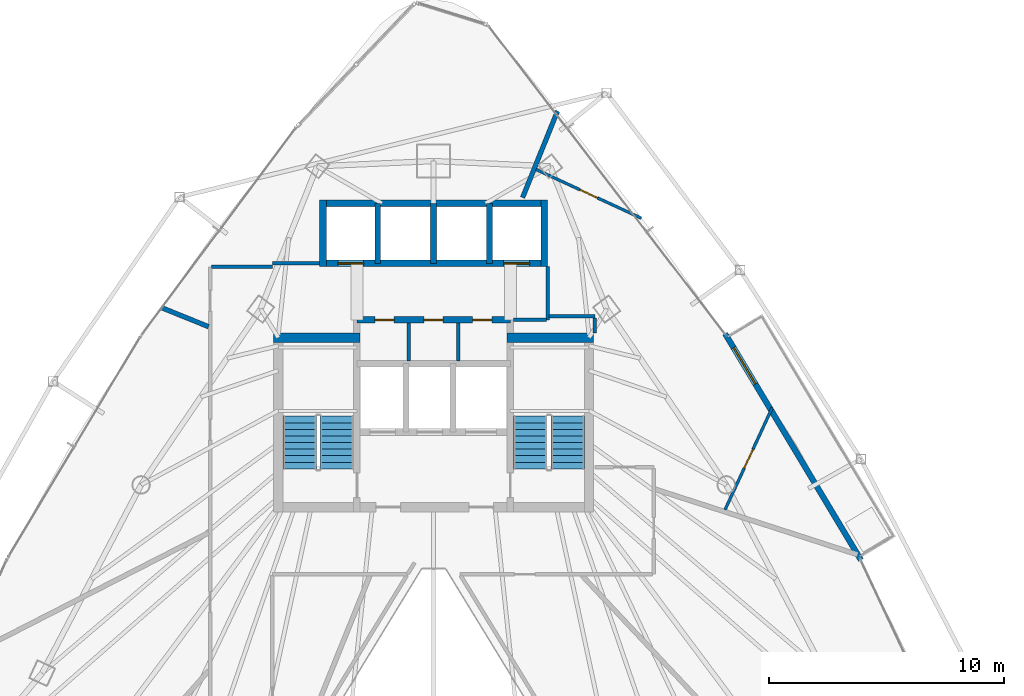
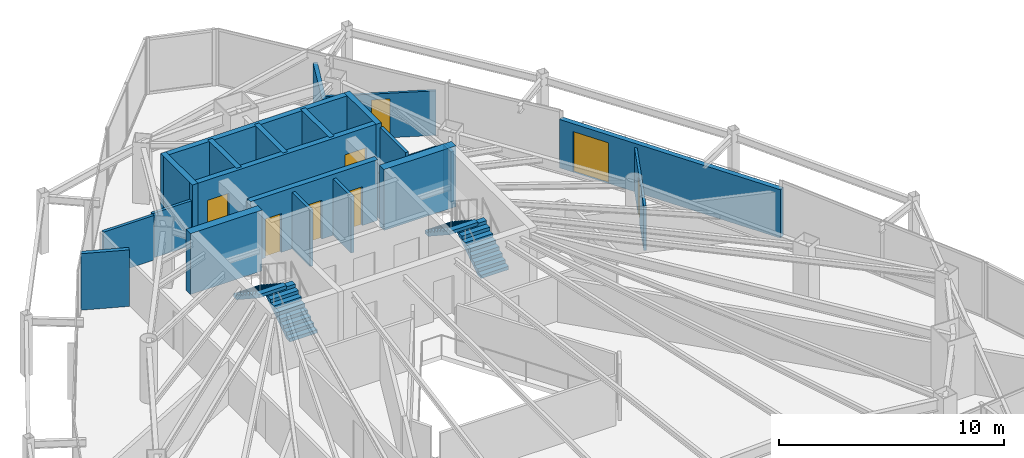
# One storey, part 28 of 31: 23 walls, 8 doors, 4 stair flights, 8 openings, 2 elements without a shape of their own.
"""IFC4 building model written with IfcOpenShell, lengths in metres."""

import ifcopenshell
import ifcopenshell.guid

model = None  # the IFC model being written
_history = None  # IfcOwnerHistory: only IFC2X3 demands one
_inside = {}  # id of a spatial element -> (the spatial element, [elements in it])
_under = {}  # id of a project, library or spatial element -> (it, [spatial elements below it])
_declared = {}  # id of a project -> (the project, [libraries it declares])
_typed = {}  # id of a type object -> (the type object, [elements of that type])
_made_of = {}  # id of a material, layer set ... -> (it, [elements and type objects made of it])


def new_model(schema):
    """Start an empty IFC model of exactly this schema.

    Asked for "IFC4X3", IfcOpenShell would pick the latest addendum, in which some entities
    have other attributes; the version numbers below select the first issue.
    IFC2X3 requires an IfcOwnerHistory on every rooted entity: one is made here for all.
    """
    global model, _history
    if schema == "IFC4X3":
        model = ifcopenshell.file(schema_version=(4, 3, 0, 0))
    else:
        model = ifcopenshell.file(schema=schema)
    _inside.clear()
    _under.clear()
    _declared.clear()
    _typed.clear()
    _made_of.clear()
    _history = None
    if model.schema == "IFC2X3":
        org = make("IfcOrganization", Name="unknown")
        user = make(
            "IfcPersonAndOrganization",
            ThePerson=make("IfcPerson", FamilyName="unknown"),
            TheOrganization=org,
        )
        app = make(
            "IfcApplication",
            ApplicationDeveloper=org,
            Version="unknown",
            ApplicationFullName="unknown",
            ApplicationIdentifier="unknown",
        )
        _history = make(
            "IfcOwnerHistory",
            OwningUser=user,
            OwningApplication=app,
            ChangeAction="ADDED",
            CreationDate=0,
        )
    return model


def make(cls, **values):
    """One entity of the class cls with the attributes given. An attribute that is None is left unset."""
    return model.create_entity(
        cls, **{name: value for name, value in values.items() if value is not None}
    )


def rooted(cls, **values):
    """An entity with a GlobalId (a new one), such as an element, a storey or a relation."""
    return make(cls, GlobalId=ifcopenshell.guid.new(), OwnerHistory=_history, **values)


def si_unit(unit_type, name, prefix=None):
    """IfcSIUnit, for example si_unit("LENGTHUNIT", "METRE", prefix="MILLI")."""
    return make("IfcSIUnit", UnitType=unit_type, Prefix=prefix, Name=name)


def assignment(units):
    """IfcUnitAssignment: the units of a project."""
    return None if units is None else make("IfcUnitAssignment", Units=units)


def point(xyz):
    """IfcCartesianPoint."""
    return None if xyz is None else make("IfcCartesianPoint", Coordinates=xyz)


def direction(xyz):
    """IfcDirection."""
    return None if xyz is None else make("IfcDirection", DirectionRatios=xyz)


def frame(location, z_axis=None, x_axis=None):
    """IfcAxis2Placement3D, a coordinate frame: its origin and axes. An axis left out is left unset."""
    return make(
        "IfcAxis2Placement3D",
        Location=point(location),
        Axis=direction(z_axis),
        RefDirection=direction(x_axis),
    )


def frame_2d(location, x_axis=None):
    """IfcAxis2Placement2D, a coordinate frame in the plane: its origin and x axis."""
    return make(
        "IfcAxis2Placement2D", Location=point(location), RefDirection=direction(x_axis)
    )


def origin():
    """The frame at (0, 0, 0) with its axes left unset."""
    return frame((0.0, 0.0, 0.0))


def place(relative_to, where):
    """IfcLocalPlacement: puts the frame where relative to a parent placement (None: the world)."""
    return make(
        "IfcLocalPlacement", PlacementRelTo=relative_to, RelativePlacement=where
    )


def context(
    kind, dimensions, precision=None, world=None, true_north=None, identifier=None
):
    """IfcGeometricRepresentationContext, for example the 3D "Model" context."""
    return make(
        "IfcGeometricRepresentationContext",
        ContextIdentifier=identifier,
        ContextType=kind,
        CoordinateSpaceDimension=dimensions,
        Precision=precision,
        WorldCoordinateSystem=world,
        TrueNorth=true_north,
    )


def subcontext(parent, identifier, kind, view, scale=None):
    """IfcGeometricRepresentationSubContext, for example "Body" below "Model"."""
    return make(
        "IfcGeometricRepresentationSubContext",
        ContextIdentifier=identifier,
        ContextType=kind,
        ParentContext=parent,
        TargetScale=scale,
        TargetView=view,
    )


def project(units=None, contexts=None):
    """IfcProject with its units and contexts."""
    return rooted(
        "IfcProject",
        Name="project",
        RepresentationContexts=contexts,
        UnitsInContext=assignment(units),
    )


def spatial(cls, under=None, at=None, **own):
    """A site, building, storey or space (cls), placed at a placement, below another one or the project."""
    s = rooted(cls, ObjectPlacement=at, **own)
    if under is not None:
        _under.setdefault(under.id(), (under, []))[1].append(s)
    return s


def polyline(points):
    """IfcPolyline through the points."""
    return make("IfcPolyline", Points=[point(p) for p in points])


def profile(cls, at=None, kind="AREA", **sizes):
    """A parametric profile (cls). Its sizes go by their IFC names, for example OverallWidth=200.0."""
    return make(cls, ProfileType=kind, Position=at, **sizes)


def rectangle(**sizes):
    """IfcRectangleProfileDef."""
    return profile("IfcRectangleProfileDef", **sizes)


def outline(outer, holes=None, kind="AREA"):
    """IfcArbitraryClosedProfileDef: a profile drawn as a closed curve; with holes, ...WithVoids."""
    if holes is None:
        return make("IfcArbitraryClosedProfileDef", ProfileType=kind, OuterCurve=outer)
    return make(
        "IfcArbitraryProfileDefWithVoids",
        ProfileType=kind,
        OuterCurve=outer,
        InnerCurves=holes,
    )


def extrude(swept, where, along, depth):
    """IfcExtrudedAreaSolid: the profile swept, set in the frame where, extruded along a direction by depth."""
    return make(
        "IfcExtrudedAreaSolid",
        SweptArea=swept,
        Position=where,
        ExtrudedDirection=direction(along),
        Depth=depth,
    )


def shape(context_of_items, identifier, shape_type, items):
    """IfcShapeRepresentation: the items that make up one representation, for example the "Body"."""
    return make(
        "IfcShapeRepresentation",
        ContextOfItems=context_of_items,
        RepresentationIdentifier=identifier,
        RepresentationType=shape_type,
        Items=items,
    )


def material(Name=None, Category=None):
    """IfcMaterial."""
    return make("IfcMaterial", Name=Name, Category=Category)


def layer(
    of_material, thickness, ventilated=None, Name=None, Category=None, Priority=None
):
    """IfcMaterialLayer: one layer of a wall or slab, of a material (None: an air gap)."""
    return make(
        "IfcMaterialLayer",
        Material=of_material,
        LayerThickness=thickness,
        IsVentilated=ventilated,
        Name=Name,
        Category=Category,
        Priority=Priority,
    )


def layer_set(layers, Name=None):
    """IfcMaterialLayerSet."""
    return make("IfcMaterialLayerSet", MaterialLayers=layers, LayerSetName=Name)


def made_of(thing, what):
    """Note that an element or type object is made of a material, layer set ...; save() writes the relation."""
    if what is not None:
        _made_of.setdefault(what.id(), (what, []))[1].append(thing)
    return thing


def type_object(cls, material=None, **own):
    """A type object (cls), such as IfcWallType, which elements share."""
    return made_of(rooted(cls, **own), material)


def element(
    cls,
    number,
    at=None,
    inside=None,
    cuts=None,
    type_object=None,
    material=None,
    context=None,
    identifier="Body",
    shape_type=None,
    held_by="IfcProductDefinitionShape",
    body=None,
    shapes=None,
    **own,
):
    """One element of the class cls, such as IfcWall. Its Tag is "e" and its number.

    at: its placement. inside: the storey or other place that contains it. cuts: it is an
    opening in that element (IfcRelVoidsElement). A single representation is given by context,
    identifier, shape_type and body (its items); several are given by shapes. held_by: the class
    of the entity that holds the representations. save() writes the other relations.
    """
    e = rooted(cls, Tag="e%d" % number, ObjectPlacement=at, **own)
    if body is not None:
        shapes = [shape(context, identifier, shape_type, body)]
    if shapes is not None:
        e.Representation = make(held_by, Representations=shapes)
    if inside is not None:
        _inside.setdefault(inside.id(), (inside, []))[1].append(e)
    if cuts is not None:
        rooted(
            "IfcRelVoidsElement", RelatingBuildingElement=cuts, RelatedOpeningElement=e
        )
    if type_object is not None:
        _typed.setdefault(type_object.id(), (type_object, []))[1].append(e)
    return made_of(e, material)


def fill(opening, filler):
    """IfcRelFillsElement: the door or window that sits in an opening."""
    return rooted(
        "IfcRelFillsElement",
        RelatingOpeningElement=opening,
        RelatedBuildingElement=filler,
    )


def aggregate(whole, parts):
    """IfcRelAggregates: a whole, such as a stair, and the parts it consists of."""
    return rooted("IfcRelAggregates", RelatingObject=whole, RelatedObjects=parts)


def save(model, path):
    """Write the relations noted so far, then the file.

    IfcRelAggregates (storeys below a building ...), IfcRelContainedInSpatialStructure (elements
    in a storey), IfcRelDefinesByType, IfcRelAssociatesMaterial and IfcRelDeclares: one each for
    every whole, place, type object, material and project.
    """
    for whole, parts in _under.values():
        aggregate(whole, parts)
    for where, things in _inside.values():
        rooted(
            "IfcRelContainedInSpatialStructure",
            RelatedElements=things,
            RelatingStructure=where,
        )
    for kind, things in _typed.values():
        rooted("IfcRelDefinesByType", RelatedObjects=things, RelatingType=kind)
    for what, things in _made_of.values():
        rooted("IfcRelAssociatesMaterial", RelatedObjects=things, RelatingMaterial=what)
    for by, libraries in _declared.values():
        rooted("IfcRelDeclares", RelatingContext=by, RelatedDefinitions=libraries)
    model.write(path)


model = new_model("IFC4")

# Units and contexts
model_context = context("Model", 3, precision=1e-05, world=origin(), true_north=direction((0.0, 1.0)))
body_context = subcontext(model_context, "Body", "Model", "MODEL_VIEW")
ifc_project = project(units=[si_unit("LENGTHUNIT", "METRE"), si_unit("AREAUNIT", "SQUARE_METRE"), si_unit("VOLUMEUNIT", "CUBIC_METRE"), si_unit("PLANEANGLEUNIT", "RADIAN"), si_unit("MASSUNIT", "GRAM", prefix="KILO")], contexts=[model_context])

# Site, building, storey
site_placement = place(None, origin())
site = spatial("IfcSite", under=ifc_project, at=site_placement, CompositionType="ELEMENT")
building_placement = place(site_placement, origin())
building = spatial("IfcBuilding", under=site, at=building_placement, Name="Orvanel Arch Residences", CompositionType="ELEMENT")
storey_placement = place(building_placement, frame((0.0, 0.0, 153.949951171875)))
storey = spatial("IfcBuildingStorey", under=building, at=storey_placement, Name="L43", CompositionType="ELEMENT", Elevation=153.949951171875)

# Wall, opening, door
ifc_material_1 = material(Name="Precast concrete N50 (50 MPa)", Category="concrete")
ifc_layer_1 = layer(ifc_material_1, 0.239990234375)
ifc_layer_set_1 = layer_set([ifc_layer_1], Name="Precast concrete N50 (50 MPa)")
wall_type_1 = type_object("IfcWallType", Name="EW-BAL-240", PredefinedType="SOLIDWALL", material=ifc_layer_set_1)
wall_1_placement = place(storey_placement, frame((51.155029296875, 24.445068359375, 0.0), z_axis=(0.0, 0.0, 1.0), x_axis=(-0.514335781973, 0.857588889493, 0.0)))
wall_1 = element("IfcWall", 1, at=wall_1_placement, inside=storey, type_object=wall_type_1, Name="L43 Balcony Threshold Wall Face 3", PredefinedType="SOLIDWALL", context=body_context, shape_type="SweptSolid", body=[
    extrude(rectangle(XDim=11.22216796875, YDim=0.239990234375, at=frame_2d((5.611083984375, 0.0))), origin(), (0.0, 0.0, 1.0), 2.6240234375),
])
opening_1_placement = place(wall_1_placement, frame((8.72509765625, 0.0, 0.0)))
opening_1 = element("IfcOpeningElement", 2, at=opening_1_placement, cuts=wall_1, Name="Opening DB-180", PredefinedType="OPENING", context=body_context, shape_type="SweptSolid", body=[
    extrude(rectangle(XDim=1.800048828125, YDim=2.199951171875, at=frame_2d((0.89990234375, 1.10009765625))), frame((0.0, 0.1298828125, 0.0), z_axis=(0.0, -1.0, 0.0), x_axis=(1.0, 0.0, 0.0)), (0.0, 0.0, 1.0), 0.260009765625),
])
ifc_material_2 = material(Name="Bronze-anodised aluminium AA6063-T6", Category="aluminium")
door_type_1 = type_object("IfcDoorType", Name="DR-BAL-1800", OperationType="NOTDEFINED", PredefinedType="DOOR", material=ifc_material_2)
door_1_placement = place(opening_1_placement, origin())
door_1 = element("IfcDoor", 3, at=door_1_placement, inside=storey, type_object=door_type_1, Name="DR-L43-BAL-F3 L43 Planted Balcony Access Door Face 3", OperationType="SINGLE_SWING_RIGHT", OverallHeight=2.199951171875, OverallWidth=1.800048828125, PredefinedType="DOOR", context=body_context, shape_type="SweptSolid", body=[
    extrude(rectangle(XDim=1.800048828125, YDim=2.199951171875, at=frame_2d((0.89990234375, 1.10009765625))), frame((0.0, 0.02490234375, 0.0), z_axis=(0.0, -1.0, 0.0), x_axis=(1.0, 0.0, 0.0)), (0.0, 0.0, 1.0), 0.050048828125),
])
fill(opening_1, door_1)

# Walls
ifc_material_3 = material(Name="Concrete N50 (50 MPa)", Category="concrete")
ifc_layer_2 = layer(ifc_material_3, 0.25)
ifc_layer_set_2 = layer_set([ifc_layer_2], Name="Concrete N50 (50 MPa)")
wall_type_2 = type_object("IfcWallType", Name="SW-CORE-250", PredefinedType="SHEAR", material=ifc_layer_set_2)
for number, where, z_axis, x_axis, name in (
    (4, (30.625, 37.050048828125, 0.0), (0.0, 0.0, 1.0), (0.0, 1.0, 0.0), "L43 Passenger Lift Inter-Shaft Wall P35"),
    (5, (33.0, 37.050048828125, 0.0), (0.0, 0.0, 1.0), (0.0, 1.0, 0.0), "L43 Passenger Lift Inter-Shaft Wall P56"),
    (6, (35.375, 37.050048828125, 0.0), (0.0, 0.0, 1.0), (0.0, 1.0, 0.0), "L43 Passenger Lift Inter-Shaft Wall P64"),
):
    element("IfcWall", number, at=place(storey_placement, frame(where, z_axis=z_axis, x_axis=x_axis)), inside=storey, type_object=wall_type_2, Name=name, PredefinedType="SHEAR", context=body_context, shape_type="SweptSolid", body=[
        extrude(rectangle(XDim=2.550048828125, YDim=0.25, at=frame_2d((1.27490234375, 0.0))), origin(), (0.0, 0.0, 1.0), 3.300048828125),
    ])

# Wall, openings, doors
ifc_material_4 = material(Name="Concrete S65 (65 MPa)", Category="concrete")
ifc_layer_3 = layer(ifc_material_4, 0.280029296875)
ifc_layer_set_3 = layer_set([ifc_layer_3], Name="Concrete S65 (65 MPa)")
wall_type_3 = type_object("IfcWallType", Name="SW-CORE-280", PredefinedType="SHEAR", material=ifc_layer_set_3)
wall_2_placement = place(storey_placement, frame((29.739990234375, 34.64990234375, 0.0), z_axis=(0.0, 0.0, 1.0), x_axis=(1.0, 0.0, 0.0)))
wall_2 = element("IfcWall", 7, at=wall_2_placement, inside=storey, type_object=wall_type_3, Name="L43 Core Service Band North Shear Wall", PredefinedType="SHEAR", context=body_context, shape_type="SweptSolid", body=[
    extrude(rectangle(XDim=6.52001953125, YDim=0.280029296875, at=frame_2d((3.260009765625, 0.0))), origin(), (0.0, 0.0, 1.0), 3.300048828125),
])
opening_2_placement = place(wall_2_placement, frame((0.764892578125, 0.0, 0.0)))
opening_2 = element("IfcOpeningElement", 8, at=opening_2_placement, cuts=wall_2, Name="Opening DS-082", PredefinedType="OPENING", context=body_context, shape_type="SweptSolid", body=[
    extrude(rectangle(XDim=0.820068359375, YDim=2.10009765625, at=frame_2d((0.41015625, 1.050048828125))), frame((0.0, 0.14990234375, 0.0), z_axis=(0.0, -1.0, 0.0), x_axis=(1.0, 0.0, 0.0)), (0.0, 0.0, 1.0), 0.300048828125),
])
opening_3_placement = place(wall_2_placement, frame((2.840087890625, 0.0, 0.0)))
opening_3 = element("IfcOpeningElement", 9, at=opening_3_placement, cuts=wall_2, Name="Opening DS-082", PredefinedType="OPENING", context=body_context, shape_type="SweptSolid", body=[
    extrude(rectangle(XDim=0.820068359375, YDim=2.10009765625, at=frame_2d((0.41015625, 1.050048828125))), frame((0.0, 0.14990234375, 0.0), z_axis=(0.0, -1.0, 0.0), x_axis=(1.0, 0.0, 0.0)), (0.0, 0.0, 1.0), 0.300048828125),
])
opening_4_placement = place(wall_2_placement, frame((4.9150390625, 0.0, 0.0)))
opening_4 = element("IfcOpeningElement", 10, at=opening_4_placement, cuts=wall_2, Name="Opening DS-082", PredefinedType="OPENING", context=body_context, shape_type="SweptSolid", body=[
    extrude(rectangle(XDim=0.820068359375, YDim=2.10009765625, at=frame_2d((0.41015625, 1.050048828125))), frame((0.0, 0.14990234375, 0.0), z_axis=(0.0, -1.0, 0.0), x_axis=(1.0, 0.0, 0.0)), (0.0, 0.0, 1.0), 0.300048828125),
])
ifc_material_5 = material(Name="Galvanised steel fire-resisting door assembly", Category="steel")
door_type_2 = type_object("IfcDoorType", Name="DR-SVC-820", OperationType="NOTDEFINED", PredefinedType="DOOR", material=ifc_material_5)
door_2_placement = place(opening_2_placement, origin())
door_2 = element("IfcDoor", 11, at=door_2_placement, inside=storey, type_object=door_type_2, Name="DR-L43-CSVC-1 L43 Housekeeping Store Door", OperationType="SINGLE_SWING_LEFT", OverallHeight=2.10009765625, OverallWidth=0.820068359375, PredefinedType="DOOR", context=body_context, shape_type="SweptSolid", body=[
    extrude(rectangle(XDim=0.820068359375, YDim=2.10009765625, at=frame_2d((0.41015625, 1.050048828125))), frame((0.0, 0.02490234375, 0.0), z_axis=(0.0, -1.0, 0.0), x_axis=(1.0, 0.0, 0.0)), (0.0, 0.0, 1.0), 0.050048828125),
])
fill(opening_2, door_2)
door_3_placement = place(opening_3_placement, origin())
door_3 = element("IfcDoor", 12, at=door_3_placement, inside=storey, type_object=door_type_2, Name="DR-L43-CSVC-2 L43 Cleaner's Store Door", OperationType="SINGLE_SWING_LEFT", OverallHeight=2.10009765625, OverallWidth=0.820068359375, PredefinedType="DOOR", context=body_context, shape_type="SweptSolid", body=[
    extrude(rectangle(XDim=0.820068359375, YDim=2.10009765625, at=frame_2d((0.41015625, 1.050048828125))), frame((0.0, 0.02490234375, 0.0), z_axis=(0.0, -1.0, 0.0), x_axis=(1.0, 0.0, 0.0)), (0.0, 0.0, 1.0), 0.050048828125),
])
fill(opening_3, door_3)
door_4_placement = place(opening_4_placement, origin())
door_4 = element("IfcDoor", 13, at=door_4_placement, inside=storey, type_object=door_type_2, Name="DR-L43-CSVC-3 L43 Comms Riser Store Door", OperationType="SINGLE_SWING_LEFT", OverallHeight=2.10009765625, OverallWidth=0.820068359375, PredefinedType="DOOR", context=body_context, shape_type="SweptSolid", body=[
    extrude(rectangle(XDim=0.820068359375, YDim=2.10009765625, at=frame_2d((0.41015625, 1.050048828125))), frame((0.0, 0.02490234375, 0.0), z_axis=(0.0, -1.0, 0.0), x_axis=(1.0, 0.0, 0.0)), (0.0, 0.0, 1.0), 0.050048828125),
])
fill(opening_4, door_4)

wall_3_placement = place(storey_placement, frame((37.840087890625, 37.050048828125, 0.0), z_axis=(0.0, 0.0, 1.0), x_axis=(-1.0, 0.0, 0.0)))
wall_3 = element("IfcWall", 14, at=wall_3_placement, inside=storey, type_object=wall_type_3, Name="L43 Passenger Lift Bank Front Shear Wall", PredefinedType="SHEAR", context=body_context, shape_type="SweptSolid", body=[
    extrude(rectangle(XDim=9.68017578125, YDim=0.280029296875, at=frame_2d((4.840087890625, 0.0))), origin(), (0.0, 0.0, 1.0), 3.300048828125),
])
opening_5_placement = place(wall_3_placement, frame((7.81494140625, 0.0, 0.0)))
opening_5 = element("IfcOpeningElement", 15, at=opening_5_placement, cuts=wall_3, Name="Opening LD-110", PredefinedType="OPENING", context=body_context, shape_type="SweptSolid", body=[
    extrude(rectangle(XDim=1.10009765625, YDim=2.199951171875, at=frame_2d((0.550048828125, 1.10009765625))), frame((0.0, 0.14990234375, 0.0), z_axis=(0.0, -1.0, 0.0), x_axis=(1.0, 0.0, 0.0)), (0.0, 0.0, 1.0), 0.300048828125),
])
opening_6_placement = place(wall_3_placement, frame((0.764892578125, 0.0, 0.0)))
opening_6 = element("IfcOpeningElement", 16, at=opening_6_placement, cuts=wall_3, Name="Opening LD-110", PredefinedType="OPENING", context=body_context, shape_type="SweptSolid", body=[
    extrude(rectangle(XDim=1.10009765625, YDim=2.199951171875, at=frame_2d((0.550048828125, 1.10009765625))), frame((0.0, 0.14990234375, 0.0), z_axis=(0.0, -1.0, 0.0), x_axis=(1.0, 0.0, 0.0)), (0.0, 0.0, 1.0), 0.300048828125),
])
door_type_3 = type_object("IfcDoorType", Name="DR-LFT-1100", OperationType="NOTDEFINED", PredefinedType="DOOR", material=ifc_material_5)
door_5_placement = place(opening_5_placement, origin())
door_5 = element("IfcDoor", 17, at=door_5_placement, inside=storey, type_object=door_type_3, Name="LD-P3-L43 L43 Passenger Lift P3 Sliding Landing Door", OperationType="DOUBLE_DOOR_SLIDING", OverallHeight=2.199951171875, OverallWidth=1.10009765625, PredefinedType="DOOR", context=body_context, shape_type="SweptSolid", body=[
    extrude(rectangle(XDim=1.10009765625, YDim=2.199951171875, at=frame_2d((0.550048828125, 1.10009765625))), frame((0.0, 0.02490234375, 0.0), z_axis=(0.0, -1.0, 0.0), x_axis=(1.0, 0.0, 0.0)), (0.0, 0.0, 1.0), 0.050048828125),
])
fill(opening_5, door_5)
door_6_placement = place(opening_6_placement, origin())
door_6 = element("IfcDoor", 18, at=door_6_placement, inside=storey, type_object=door_type_3, Name="LD-P4-L43 L43 Passenger Lift P4 Sliding Landing Door", OperationType="DOUBLE_DOOR_SLIDING", OverallHeight=2.199951171875, OverallWidth=1.10009765625, PredefinedType="DOOR", context=body_context, shape_type="SweptSolid", body=[
    extrude(rectangle(XDim=1.10009765625, YDim=2.199951171875, at=frame_2d((0.550048828125, 1.10009765625))), frame((0.0, 0.02490234375, 0.0), z_axis=(0.0, -1.0, 0.0), x_axis=(1.0, 0.0, 0.0)), (0.0, 0.0, 1.0), 0.050048828125),
])
fill(opening_6, door_6)

# Walls
wall_4_placement = place(storey_placement, frame((28.159912109375, 39.60009765625, 0.0), z_axis=(0.0, 0.0, 1.0), x_axis=(1.0, 0.0, 0.0)))
element("IfcWall", 19, at=wall_4_placement, inside=storey, type_object=wall_type_3, Name="L43 Passenger Lift Bank North Shear Wall", PredefinedType="SHEAR", context=body_context, shape_type="SweptSolid", body=[
    extrude(rectangle(XDim=9.68017578125, YDim=0.280029296875, at=frame_2d((4.840087890625, 0.0))), origin(), (0.0, 0.0, 1.0), 3.300048828125),
])
for number, where, z_axis, x_axis, name in (
    (20, (28.300048828125, 36.909912109375, 0.0), (0.0, 0.0, 1.0), (0.0, 1.0, 0.0), "L43 Passenger Lift Bank West Shear Wall"),
    (21, (37.699951171875, 36.909912109375, 0.0), (0.0, 0.0, 1.0), (0.0, 1.0, 0.0), "L43 Passenger Lift Bank East Shear Wall"),
):
    element("IfcWall", number, at=place(storey_placement, frame(where, z_axis=z_axis, x_axis=x_axis)), inside=storey, type_object=wall_type_3, Name=name, PredefinedType="SHEAR", context=body_context, shape_type="SweptSolid", body=[
        extrude(rectangle(XDim=2.830078125, YDim=0.280029296875, at=frame_2d((1.4150390625, 0.0))), origin(), (0.0, 0.0, 1.0), 3.300048828125),
    ])
ifc_layer_4 = layer(ifc_material_4, 0.39990234375)
ifc_layer_set_4 = layer_set([ifc_layer_4], Name="Concrete S65 (65 MPa)")
wall_type_4 = type_object("IfcWallType", Name="SW-CORE-400", PredefinedType="SHEAR", material=ifc_layer_set_4)
for number, where, z_axis, x_axis, name in (
    (22, (26.199951171875, 33.89990234375, 0.0), (0.0, 0.0, 1.0), (1.0, 0.0, 0.0), "L43 West Stair North Shear Wall"),
    (23, (36.1201171875, 33.89990234375, 0.0), (0.0, 0.0, 1.0), (1.0, 0.0, 0.0), "L43 East Stair North Shear Wall"),
):
    element("IfcWall", number, at=place(storey_placement, frame(where, z_axis=z_axis, x_axis=x_axis)), inside=storey, type_object=wall_type_4, Name=name, PredefinedType="SHEAR", context=body_context, shape_type="SweptSolid", body=[
        extrude(rectangle(XDim=3.679931640625, YDim=0.39990234375, at=frame_2d((1.83984375, 0.0))), origin(), (0.0, 0.0, 1.0), 3.300048828125),
    ])
ifc_material_6 = material(Name="Fire-rated plasterboard lined steel stud partition", Category="steel")
ifc_layer_5 = layer(ifc_material_6, 0.14990234375)
ifc_layer_set_5 = layer_set([ifc_layer_5], Name="Fire-rated plasterboard lined steel stud partition")
wall_type_5 = type_object("IfcWallType", Name="W-COR-150", PredefinedType="PARTITIONING", material=ifc_layer_set_5)
wall_5_placement = place(storey_placement, frame((37.85009765625, 34.64990234375, 0.0), z_axis=(0.0, 0.0, 1.0), x_axis=(0.0, 1.0, 0.0)))
element("IfcWall", 24, at=wall_5_placement, inside=storey, type_object=wall_type_5, Name="L43 Passenger Lift Lobby East Closure Wall", PredefinedType="PARTITIONING", context=body_context, shape_type="SweptSolid", body=[
    extrude(rectangle(XDim=2.260009765625, YDim=0.14990234375, at=frame_2d((1.1298828125, 0.0))), origin(), (0.0, 0.0, 1.0), 3.06005859375),
])
wall_6_placement = place(storey_placement, frame((36.385009765625, 34.64990234375, 0.0), z_axis=(0.0, 0.0, 1.0), x_axis=(1.0, 0.0, 0.0)))
element("IfcWall", 25, at=wall_6_placement, inside=storey, type_object=wall_type_5, Name="L43 Passenger Lift Lobby South-East Wall", PredefinedType="PARTITIONING", context=body_context, shape_type="SweptSolid", body=[
    extrude(rectangle(XDim=1.405029296875, YDim=0.14990234375, at=frame_2d((0.70263671875, 0.0))), origin(), (0.0, 0.0, 1.0), 2.425048828125),
])
wall_7_placement = place(storey_placement, frame((23.56005859375, 36.89990234375, 0.0), z_axis=(0.0, 0.0, 1.0), x_axis=(1.0, 0.0, 0.0)))
element("IfcWall", 26, at=wall_7_placement, inside=storey, type_object=wall_type_5, Name="L43 Corridor Fire-Rated Partition", PredefinedType="PARTITIONING", context=body_context, shape_type="SweptSolid", body=[
    extrude(rectangle(XDim=2.58984375, YDim=0.14990234375, at=frame_2d((1.294921875, 0.0))), origin(), (0.0, 0.0, 1.0), 2.4130859375),
])
wall_8_placement = place(storey_placement, frame((26.14990234375, 37.050048828125, 0.0), z_axis=(0.0, 0.0, 1.0), x_axis=(1.0, 0.0, 0.0)))
element("IfcWall", 27, at=wall_8_placement, inside=storey, type_object=wall_type_5, Name="L43 Core Perimeter Partition", PredefinedType="PARTITIONING", context=body_context, shape_type="SweptSolid", body=[
    extrude(rectangle(XDim=2.0, YDim=0.14990234375, at=frame_2d((1.0, 0.0))), origin(), (0.0, 0.0, 1.0), 2.4130859375),
])
wall_9_placement = place(storey_placement, frame((37.909912109375, 34.800048828125, 0.0), z_axis=(0.0, 0.0, 1.0), x_axis=(1.0, 0.0, 0.0)))
element("IfcWall", 28, at=wall_9_placement, inside=storey, type_object=wall_type_5, Name="L43 Core Perimeter Partition", PredefinedType="PARTITIONING", context=body_context, shape_type="SweptSolid", body=[
    extrude(rectangle(XDim=1.940185546875, YDim=0.14990234375, at=frame_2d((0.97021484375, 0.0))), origin(), (0.0, 0.0, 1.0), 2.720947265625),
])
wall_10_placement = place(storey_placement, frame((39.85009765625, 34.739990234375, 0.0), z_axis=(0.0, 0.0, 1.0), x_axis=(0.0, -1.0, 0.0)))
element("IfcWall", 29, at=wall_10_placement, inside=storey, type_object=wall_type_5, Name="L43 Core Perimeter Partition", PredefinedType="PARTITIONING", context=body_context, shape_type="SweptSolid", body=[
    extrude(rectangle(XDim=0.639892578125, YDim=0.14990234375, at=frame_2d((0.31982421875, 0.0))), origin(), (0.0, 0.0, 1.0), 2.720947265625),
])
ifc_layer_6 = layer(ifc_material_6, 0.199951171875)
ifc_layer_set_6 = layer_set([ifc_layer_6], Name="Fire-rated plasterboard lined steel stud partition")
wall_type_6 = type_object("IfcWallType", Name="W-DEM-200", PredefinedType="PARTITIONING", material=ifc_layer_set_6)
wall_11_placement = place(storey_placement, frame((36.778076171875, 39.85009765625, 0.0), z_axis=(0.0, 0.0, 1.0), x_axis=(0.374430412004, 0.927255017008, 0.0)))
element("IfcWall", 30, at=wall_11_placement, inside=storey, type_object=wall_type_6, Name="L43 Inter-Tenancy Acoustic Demising Wall", PredefinedType="PARTITIONING", context=body_context, shape_type="SweptSolid", body=[
    extrude(rectangle(XDim=3.957763671875, YDim=0.199951171875, at=frame_2d((1.97900390625, 0.0))), origin(), (0.0, 0.0, 1.0), 2.4130859375),
])
wall_12_placement = place(storey_placement, frame((23.43994140625, 34.362060546875, 0.0), z_axis=(0.0, 0.0, 1.0), x_axis=(-0.927021575741, 0.375007997395, 0.0)))
element("IfcWall", 31, at=wall_12_placement, inside=storey, type_object=wall_type_6, Name="L43 Inter-Tenancy Acoustic Demising Wall", PredefinedType="PARTITIONING", context=body_context, shape_type="SweptSolid", body=[
    extrude(rectangle(XDim=2.16259765625, YDim=0.199951171875, at=frame_2d((1.081298828125, 0.0))), origin(), (0.0, 0.0, 1.0), 3.06005859375),
])
ifc_layer_7 = layer(ifc_material_6, 0.14990234375)
ifc_layer_set_7 = layer_set([ifc_layer_7], Name="Fire-rated plasterboard lined steel stud partition")
wall_type_7 = type_object("IfcWallType", Name="W-ST-150", PredefinedType="PARTITIONING", material=ifc_layer_set_7)
for number, where, z_axis, x_axis, name in (
    (32, (31.949951171875, 32.9150390625, 0.0), (0.0, 0.0, 1.0), (0.0, 1.0, 0.0), "L43 Core Service Partition 1"),
    (33, (34.050048828125, 32.9150390625, 0.0), (0.0, 0.0, 1.0), (0.0, 1.0, 0.0), "L43 Core Service Partition 2"),
):
    element("IfcWall", number, at=place(storey_placement, frame(where, z_axis=z_axis, x_axis=x_axis)), inside=storey, type_object=wall_type_7, Name=name, PredefinedType="PARTITIONING", context=body_context, shape_type="SweptSolid", body=[
        extrude(rectangle(XDim=1.60986328125, YDim=0.14990234375, at=frame_2d((0.804931640625, 0.0))), origin(), (0.0, 0.0, 1.0), 3.06005859375),
    ])

# Wall, opening, door
ifc_material_7 = material(Name="Acoustic plasterboard lined twin-stud partition", Category="gypsum")
ifc_layer_8 = layer(ifc_material_7, 0.1201171875)
ifc_layer_set_8 = layer_set([ifc_layer_8], Name="Acoustic plasterboard lined twin-stud partition")
wall_type_8 = type_object("IfcWallType", Name="W-WET-120", PredefinedType="PARTITIONING", material=ifc_layer_set_8)
wall_13_placement = place(storey_placement, frame((37.35107421875, 41.0419921875, 0.0), z_axis=(0.0, 0.0, 1.0), x_axis=(0.907592371503, -0.419852458834, 0.0)))
wall_13 = element("IfcWall", 34, at=wall_13_placement, inside=storey, type_object=wall_type_8, Name="L43 Studio B Bathroom Partition", PredefinedType="PARTITIONING", context=body_context, shape_type="SweptSolid", body=[
    extrude(rectangle(XDim=4.930419921875, YDim=0.1201171875, at=frame_2d((2.46533203125, 0.0))), origin(), (0.0, 0.0, 1.0), 2.4130859375),
])
opening_7_placement = place(wall_13_placement, frame((2.054931640625, 0.0, 0.0)))
opening_7 = element("IfcOpeningElement", 35, at=opening_7_placement, cuts=wall_13, Name="Opening DW-082", PredefinedType="OPENING", context=body_context, shape_type="SweptSolid", body=[
    extrude(rectangle(XDim=0.820068359375, YDim=2.10009765625, at=frame_2d((0.41015625, 1.050048828125))), frame((0.0, 0.070068359375, 0.0), z_axis=(0.0, -1.0, 0.0), x_axis=(1.0, 0.0, 0.0)), (0.0, 0.0, 1.0), 0.14013671875),
])
ifc_material_8 = material(Name="Solid-core European oak veneer fire door leaf", Category="wood")
door_type_4 = type_object("IfcDoorType", Name="DR-WET-820", OperationType="NOTDEFINED", PredefinedType="DOOR", material=ifc_material_8)
door_7_placement = place(opening_7_placement, origin())
door_7 = element("IfcDoor", 36, at=door_7_placement, inside=storey, type_object=door_type_4, Name="DR-L43-B-BATH L43 Studio B Bathroom Door", OperationType="SINGLE_SWING_RIGHT", OverallHeight=2.10009765625, OverallWidth=0.820068359375, PredefinedType="DOOR", context=body_context, shape_type="SweptSolid", body=[
    extrude(rectangle(XDim=0.820068359375, YDim=2.10009765625, at=frame_2d((0.41015625, 1.050048828125))), frame((0.0, 0.02490234375, 0.0), z_axis=(0.0, -1.0, 0.0), x_axis=(1.0, 0.0, 0.0)), (0.0, 0.0, 1.0), 0.050048828125),
])
fill(opening_7, door_7)

wall_14_placement = place(storey_placement, frame((47.3798828125, 30.9150390625, 0.0), z_axis=(0.0, 0.0, 1.0), x_axis=(-0.419818119852, -0.907608255936, 0.0)))
wall_14 = element("IfcWall", 37, at=wall_14_placement, inside=storey, type_object=wall_type_8, Name="L43 Studio B Internal Partition", PredefinedType="PARTITIONING", context=body_context, shape_type="SweptSolid", body=[
    extrude(rectangle(XDim=4.766357421875, YDim=0.1201171875, at=frame_2d((2.38330078125, 0.0))), origin(), (0.0, 0.0, 1.0), 2.4130859375),
])
opening_8_placement = place(wall_14_placement, frame((1.943115234375, 0.0, 0.0)))
opening_8 = element("IfcOpeningElement", 38, at=opening_8_placement, cuts=wall_14, Name="Opening DI-088", PredefinedType="OPENING", context=body_context, shape_type="SweptSolid", body=[
    extrude(rectangle(XDim=0.8798828125, YDim=2.10009765625, at=frame_2d((0.43994140625, 1.050048828125))), frame((0.0, 0.070068359375, 0.0), z_axis=(0.0, -1.0, 0.0), x_axis=(1.0, 0.0, 0.0)), (0.0, 0.0, 1.0), 0.14013671875),
])
door_type_5 = type_object("IfcDoorType", Name="DR-INT-880", OperationType="NOTDEFINED", PredefinedType="DOOR", material=ifc_material_8)
door_8_placement = place(opening_8_placement, origin())
door_8 = element("IfcDoor", 39, at=door_8_placement, inside=storey, type_object=door_type_5, Name="DR-L43-B-KIT L43 Studio B Kitchenette Door", OperationType="SINGLE_SWING_LEFT", OverallHeight=2.10009765625, OverallWidth=0.8798828125, PredefinedType="DOOR", context=body_context, shape_type="SweptSolid", body=[
    extrude(rectangle(XDim=0.8798828125, YDim=2.10009765625, at=frame_2d((0.43994140625, 1.050048828125))), frame((0.0, 0.02490234375, 0.0), z_axis=(0.0, -1.0, 0.0), x_axis=(1.0, 0.0, 0.0)), (0.0, 0.0, 1.0), 0.050048828125),
])
fill(opening_8, door_8)

# Stair, stair flights
stair_type = type_object("IfcStairType", Name="STR-DOG-184", PredefinedType="USERDEFINED", material=ifc_material_1)
stair_1_placement = place(storey_placement, origin())
stair_1 = element("IfcStair", 40, at=stair_1_placement, inside=storey, type_object=stair_type, Name="L43 Fire-Isolated Core Exit Stair 1", ObjectType="TWO_RETURN_STAIR", PredefinedType="USERDEFINED")
stair_flight_type_1 = type_object("IfcStairFlightType", Name="SFL-C1-184", PredefinedType="STRAIGHT", material=ifc_material_1)
stair_flight_1_placement = place(storey_placement, frame((28.889892578125, 28.320068359375, 0.0), z_axis=(0.0, 0.0, 1.0), x_axis=(0.0, 1.0, 0.0)))
stair_flight_1 = element("IfcStairFlight", 41, at=stair_flight_1_placement, type_object=stair_flight_type_1, Name="ST-1 flight 1", NumberOfRisers=9, NumberOfTreads=8, PredefinedType="STRAIGHT", RiserHeight=0.183333333, TreadLength=0.28, context=body_context, shape_type="SweptSolid", body=[
    extrude(outline(polyline([(0.0, 0.0), (0.0, 0.183349609375), (0.280029296875, 0.183349609375), (0.280029296875, 0.36669921875), (0.56005859375, 0.36669921875), (0.56005859375, 0.550048828125), (0.840087890625, 0.550048828125), (0.840087890625, 0.7333984375), (1.1201171875, 0.7333984375), (1.1201171875, 0.916748046875), (1.39990234375, 0.916748046875), (1.39990234375, 1.10009765625), (1.679931640625, 1.10009765625), (1.679931640625, 1.283447265625), (1.9599609375, 1.283447265625), (1.9599609375, 1.466552734375), (2.239990234375, 1.466552734375), (2.239990234375, 1.64990234375), (2.239990234375, 1.28759765625), (0.273681640625, 0.0), (0.0, 0.0)])), frame((0.0, 0.7099609375, 0.0), z_axis=(0.0, -1.0, 0.0), x_axis=(1.0, 0.0, 0.0)), (0.0, 0.0, 1.0), 1.419921875),
])
stair_flight_2_placement = place(storey_placement, frame((27.31005859375, 30.56005859375, 1.650146484375), z_axis=(0.0, 0.0, 1.0), x_axis=(0.0, -1.0, 0.0)))
stair_flight_2 = element("IfcStairFlight", 42, at=stair_flight_2_placement, type_object=stair_flight_type_1, Name="ST-1 flight 2", NumberOfRisers=9, NumberOfTreads=8, PredefinedType="STRAIGHT", RiserHeight=0.183333333, TreadLength=0.28, context=body_context, shape_type="SweptSolid", body=[
    extrude(outline(polyline([(0.0, 0.0), (0.0, 0.183349609375), (0.280029296875, 0.183349609375), (0.280029296875, 0.36669921875), (0.56005859375, 0.36669921875), (0.56005859375, 0.550048828125), (0.840087890625, 0.550048828125), (0.840087890625, 0.7333984375), (1.1201171875, 0.7333984375), (1.1201171875, 0.916748046875), (1.39990234375, 0.916748046875), (1.39990234375, 1.10009765625), (1.679931640625, 1.10009765625), (1.679931640625, 1.283447265625), (1.9599609375, 1.283447265625), (1.9599609375, 1.466552734375), (2.239990234375, 1.466552734375), (2.239990234375, 1.64990234375), (2.239990234375, 1.28759765625), (0.273681640625, 0.0), (0.0, 0.0)])), frame((0.0, 0.7099609375, 0.0), z_axis=(0.0, -1.0, 0.0), x_axis=(1.0, 0.0, 0.0)), (0.0, 0.0, 1.0), 1.419921875),
])
aggregate(stair_1, [stair_flight_1, stair_flight_2])

stair_2_placement = place(storey_placement, origin())
stair_2 = element("IfcStair", 43, at=stair_2_placement, inside=storey, type_object=stair_type, Name="L43 Fire-Isolated Core Exit Stair 2", ObjectType="TWO_RETURN_STAIR", PredefinedType="USERDEFINED")
stair_flight_type_2 = type_object("IfcStairFlightType", Name="SFL-C2-184", PredefinedType="STRAIGHT", material=ifc_material_1)
stair_flight_3_placement = place(storey_placement, frame((38.68994140625, 28.320068359375, 0.0), z_axis=(0.0, 0.0, 1.0), x_axis=(0.0, 1.0, 0.0)))
stair_flight_3 = element("IfcStairFlight", 44, at=stair_flight_3_placement, type_object=stair_flight_type_2, Name="ST-2 flight 1", NumberOfRisers=9, NumberOfTreads=8, PredefinedType="STRAIGHT", RiserHeight=0.183333333, TreadLength=0.28, context=body_context, shape_type="SweptSolid", body=[
    extrude(outline(polyline([(0.0, 0.0), (0.0, 0.183349609375), (0.280029296875, 0.183349609375), (0.280029296875, 0.36669921875), (0.56005859375, 0.36669921875), (0.56005859375, 0.550048828125), (0.840087890625, 0.550048828125), (0.840087890625, 0.7333984375), (1.1201171875, 0.7333984375), (1.1201171875, 0.916748046875), (1.39990234375, 0.916748046875), (1.39990234375, 1.10009765625), (1.679931640625, 1.10009765625), (1.679931640625, 1.283447265625), (1.9599609375, 1.283447265625), (1.9599609375, 1.466552734375), (2.239990234375, 1.466552734375), (2.239990234375, 1.64990234375), (2.239990234375, 1.28759765625), (0.273681640625, 0.0), (0.0, 0.0)])), frame((0.0, 0.7099609375, 0.0), z_axis=(0.0, -1.0, 0.0), x_axis=(1.0, 0.0, 0.0)), (0.0, 0.0, 1.0), 1.419921875),
])
stair_flight_4_placement = place(storey_placement, frame((37.110107421875, 30.56005859375, 1.650146484375), z_axis=(0.0, 0.0, 1.0), x_axis=(0.0, -1.0, 0.0)))
stair_flight_4 = element("IfcStairFlight", 45, at=stair_flight_4_placement, type_object=stair_flight_type_2, Name="ST-2 flight 2", NumberOfRisers=9, NumberOfTreads=8, PredefinedType="STRAIGHT", RiserHeight=0.183333333, TreadLength=0.28, context=body_context, shape_type="SweptSolid", body=[
    extrude(outline(polyline([(0.0, 0.0), (0.0, 0.183349609375), (0.280029296875, 0.183349609375), (0.280029296875, 0.36669921875), (0.56005859375, 0.36669921875), (0.56005859375, 0.550048828125), (0.840087890625, 0.550048828125), (0.840087890625, 0.7333984375), (1.1201171875, 0.7333984375), (1.1201171875, 0.916748046875), (1.39990234375, 0.916748046875), (1.39990234375, 1.10009765625), (1.679931640625, 1.10009765625), (1.679931640625, 1.283447265625), (1.9599609375, 1.283447265625), (1.9599609375, 1.466552734375), (2.239990234375, 1.466552734375), (2.239990234375, 1.64990234375), (2.239990234375, 1.28759765625), (0.273681640625, 0.0), (0.0, 0.0)])), frame((0.0, 0.7099609375, 0.0), z_axis=(0.0, -1.0, 0.0), x_axis=(1.0, 0.0, 0.0)), (0.0, 0.0, 1.0), 1.419921875),
])
aggregate(stair_2, [stair_flight_3, stair_flight_4])

save(model, "model.ifc")
